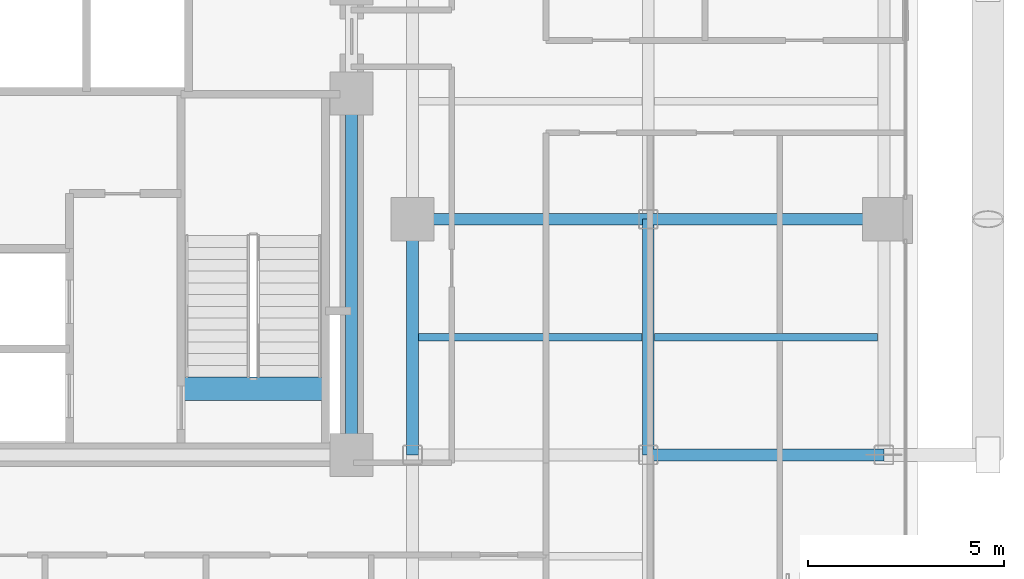
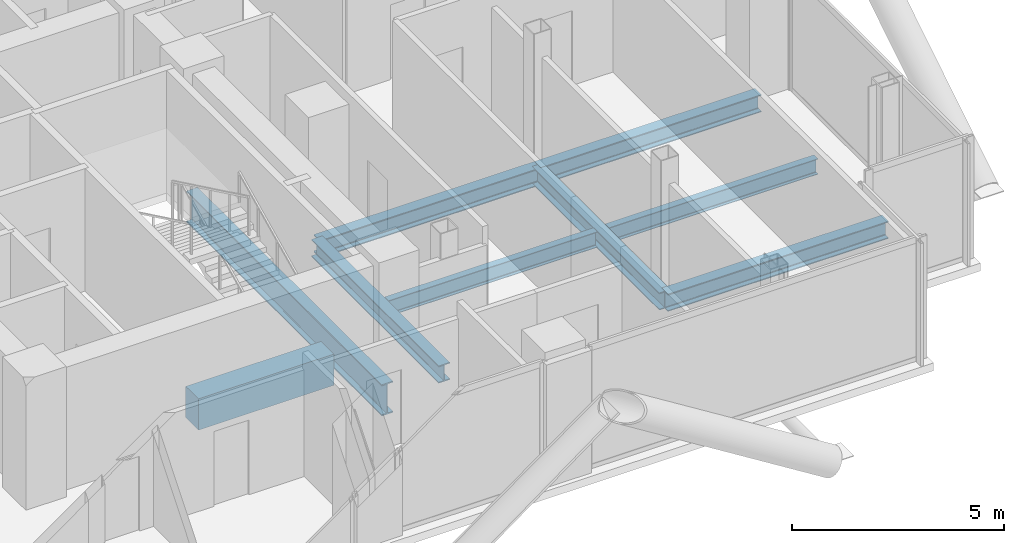
# One storey, part 10 of 24: 9 beams.
"""IFC4 building model written with IfcOpenShell, lengths in metres."""

from ifc_helpers import new_model, si_unit, direction, frame, origin, origin_2d, place, context, subcontext, project, spatial, rectangle, i_section, extrude, material, material_profile, profile_set, type_object, element, save


model = new_model("IFC4")

# Units and contexts
model_context = context("Model", 3, precision=1e-05, world=origin(), true_north=direction((0.0, 1.0)))
body_context = subcontext(model_context, "Body", "Model", "MODEL_VIEW")
ifc_project = project(units=[si_unit("LENGTHUNIT", "METRE"), si_unit("AREAUNIT", "SQUARE_METRE"), si_unit("VOLUMEUNIT", "CUBIC_METRE"), si_unit("PLANEANGLEUNIT", "RADIAN"), si_unit("MASSUNIT", "GRAM", prefix="KILO"), si_unit("THERMODYNAMICTEMPERATUREUNIT", "KELVIN"), si_unit("POWERUNIT", "WATT")], contexts=[model_context])

# Site, building, storey
site_placement = place(None, origin())
site = spatial("IfcSite", under=ifc_project, at=site_placement, CompositionType="ELEMENT")
building_placement = place(site_placement, origin())
building = spatial("IfcBuilding", under=site, at=building_placement, Name="Svarakhadi Broadcast Tower", CompositionType="ELEMENT")
storey_placement = place(building_placement, frame((0.0, 0.0, 156.89990234375)))
storey = spatial("IfcBuildingStorey", under=building, at=storey_placement, Name="L38", CompositionType="ELEMENT", Elevation=156.89990234375)

# Beams
ifc_material_1 = material(Name="Steel S355J2 (IS 2062 E350C)", Category="steel")
ifc_material_profile_1 = material_profile(ifc_material_1, i_section(OverallWidth=0.18994140625, OverallDepth=0.449951171875, WebThickness=0.009521484375, FlangeThickness=0.0146484375, FilletRadius=0.02099609375, at=origin_2d()), Name="NPB 450x190x78")
ifc_profile_set_1 = profile_set([ifc_material_profile_1], Name="Steel S355J2 (IS 2062 E350C)")
beam_type_1 = type_object("IfcBeamType", Name="Beam_NPB450", PredefinedType="BEAM", material=ifc_profile_set_1)
for number, where, z_axis, x_axis, name in (
    (1, (35.31005859375, 9.0, -0.449951171875), (1.0, 0.0, 0.0), (0.0, 1.0, 0.0), "L38 Secondary Composite Beam SB020"),
    (2, (41.31005859375, 9.0, -0.449951171875), (1.0, 0.0, 0.0), (0.0, 1.0, 0.0), "L38 Secondary Composite Beam SB022"),
):
    element("IfcBeam", number, at=place(storey_placement, frame(where, z_axis=z_axis, x_axis=x_axis)), inside=storey, type_object=beam_type_1, Name=name, PredefinedType="BEAM", context=body_context, shape_type="SweptSolid", body=[
        extrude(i_section(OverallWidth=0.18994140625, OverallDepth=0.449951171875, WebThickness=0.009521484375, FlangeThickness=0.0146484375, FilletRadius=0.02099609375, at=origin_2d()), origin(), (0.0, 0.0, 1.0), 5.679931640625),
    ])
ifc_material_2 = material(Name="Concrete C50/60 (IS 456 M60)", Category="concrete")
ifc_material_profile_2 = material_profile(ifc_material_2, rectangle(XDim=0.60009765625, YDim=0.89990234375, at=origin_2d()), Name="RC 600x900")
ifc_profile_set_2 = profile_set([ifc_material_profile_2], Name="Concrete C50/60 (IS 456 M60)")
beam_type_2 = type_object("IfcBeamType", Name="Coupling_RC600", PredefinedType="USERDEFINED", material=ifc_profile_set_2)
beam_1_placement = place(storey_placement, frame((29.260009765625, 7.679931640625, -0.449951171875), z_axis=(1.0, 0.0, 0.0), x_axis=(0.0, 1.0, 0.0)))
element("IfcBeam", 3, at=beam_1_placement, inside=storey, type_object=beam_type_2, Name="L38 Stair ST-02 Landing Throat Trimmer Beam CB-01", ObjectType="GIRDER", PredefinedType="USERDEFINED", context=body_context, shape_type="SweptSolid", body=[
    extrude(rectangle(XDim=0.60009765625, YDim=0.89990234375, at=origin_2d()), origin(), (0.0, 0.0, 1.0), 3.679931640625),
])
ifc_material_profile_3 = material_profile(ifc_material_1, i_section(OverallWidth=0.300048828125, OverallDepth=0.5, WebThickness=0.014404296875, FlangeThickness=0.028076171875, FilletRadius=0.027099609375, at=origin_2d()), Name="WPB 500x300x187")
ifc_profile_set_3 = profile_set([ifc_material_profile_3], Name="Steel S355J2 (IS 2062 E350C)")
beam_type_3 = type_object("IfcBeamType", Name="Girder_WPB500", PredefinedType="USERDEFINED", material=ifc_profile_set_3)
for number, where, z_axis, x_axis, name in (
    (4, (41.14990234375, 6.0, -0.474853515625), (1.0, 0.0, 0.0), (0.0, 1.0, 0.0), "L38 Primary E-W Girder G016"),
    (5, (35.14990234375, 12.0, -0.474853515625), (1.0, 0.0, 0.0), (0.0, 1.0, 0.0), "L38 Primary E-W Girder G021"),
    (6, (41.14990234375, 12.0, -0.474853515625), (1.0, 0.0, 0.0), (0.0, 1.0, 0.0), "L38 Primary E-W Girder G022"),
    (7, (35.14990234375, 6.0, -0.474853515625), (0.0, 1.0, 0.0), (-1.0, 0.0, 0.0), "L38 Primary N-S Girder G068"),
    (8, (41.14990234375, 6.0, -0.474853515625), (0.0, 1.0, 0.0), (-1.0, 0.0, 0.0), "L38 Primary N-S Girder G071"),
):
    element("IfcBeam", number, at=place(storey_placement, frame(where, z_axis=z_axis, x_axis=x_axis)), inside=storey, type_object=beam_type_3, Name=name, ObjectType="GIRDER", PredefinedType="USERDEFINED", context=body_context, shape_type="SweptSolid", body=[
        extrude(i_section(OverallWidth=0.300048828125, OverallDepth=0.5, WebThickness=0.014404296875, FlangeThickness=0.028076171875, FilletRadius=0.027099609375, at=origin_2d()), origin(), (0.0, 0.0, 1.0), 6.0),
    ])
ifc_material_3 = material(Name="Steel S460ML (IS 2062 E450BR)", Category="steel")
ifc_material_profile_4 = material_profile(ifc_material_3, i_section(OverallWidth=0.300048828125, OverallDepth=0.89990234375, WebThickness=0.0185546875, FlangeThickness=0.034912109375, FilletRadius=0.030029296875, at=origin_2d()), Name="WPB 900x300x291")
ifc_profile_set_4 = profile_set([ifc_material_profile_4], Name="Steel S460ML (IS 2062 E450BR)")
beam_type_4 = type_object("IfcBeamType", Name="Girder_WPB900", PredefinedType="USERDEFINED", material=ifc_profile_set_4)
beam_2_placement = place(storey_placement, frame((33.60009765625, 6.0, -0.6748046875), z_axis=(0.0, 1.0, 0.0), x_axis=(-1.0, 0.0, 0.0)))
element("IfcBeam", 9, at=beam_2_placement, inside=storey, type_object=beam_type_4, Name="L38 Primary N-S Girder G065", ObjectType="GIRDER", PredefinedType="USERDEFINED", context=body_context, shape_type="SweptSolid", body=[
    extrude(i_section(OverallWidth=0.300048828125, OverallDepth=0.89990234375, WebThickness=0.0185546875, FlangeThickness=0.034912109375, FilletRadius=0.030029296875, at=origin_2d()), origin(), (0.0, 0.0, 1.0), 9.199951171875),
])

save(model, "model.ifc")
